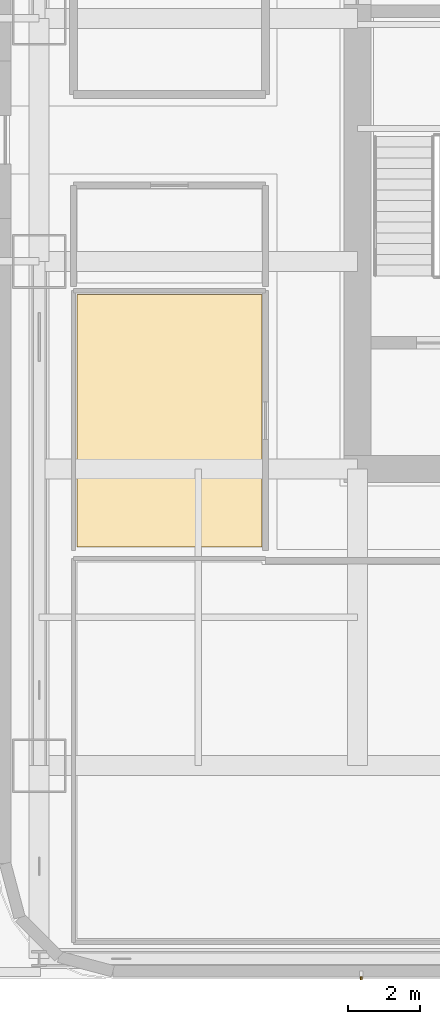
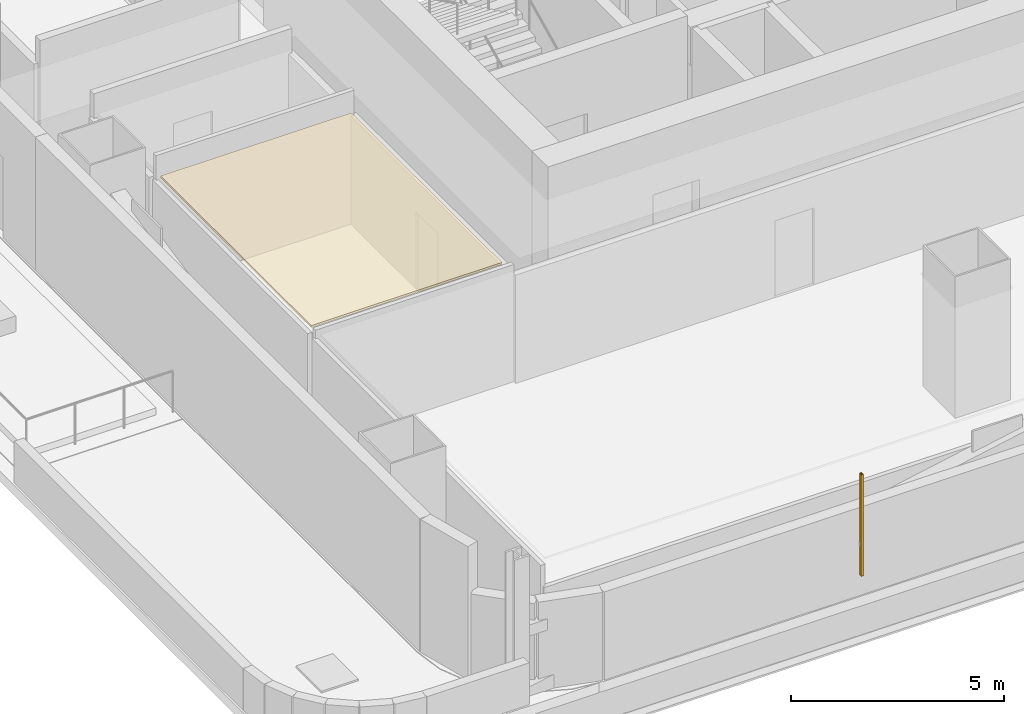
# One storey, part 16 of 27: 1 covering, 1 shading device.
"""IFC4 building model written with IfcOpenShell, lengths in metres."""

from ifc_helpers import new_model, si_unit, direction, frame, origin, origin_2d, place, context, subcontext, project, spatial, polyline, hollow_rectangle, outline, extrude, material, layer, layer_set, material_profile, profile_set, type_object, element, save


model = new_model("IFC4")

# Units and contexts
model_context = context("Model", 3, precision=1e-05, world=origin(), true_north=direction((0.0, 1.0)))
body_context = subcontext(model_context, "Body", "Model", "MODEL_VIEW")
ifc_project = project(units=[si_unit("LENGTHUNIT", "METRE"), si_unit("AREAUNIT", "SQUARE_METRE"), si_unit("VOLUMEUNIT", "CUBIC_METRE"), si_unit("PLANEANGLEUNIT", "RADIAN"), si_unit("MASSUNIT", "GRAM", prefix="KILO")], contexts=[model_context])

# Site, building, storey
site_placement = place(None, origin())
site = spatial("IfcSite", under=ifc_project, at=site_placement, CompositionType="ELEMENT")
building_placement = place(site_placement, origin())
building = spatial("IfcBuilding", under=site, at=building_placement, Name="Punatoya Terracotta Tower", CompositionType="ELEMENT")
storey_placement = place(building_placement, frame((0.0, 0.0, 60.60009765625)))
storey = spatial("IfcBuildingStorey", under=building, at=storey_placement, Name="L13", CompositionType="ELEMENT", Elevation=60.60009765625)

# Covering
ifc_material_1 = material(Name="Acoustic Mineral Fibre Ceiling")
ifc_layer = layer(ifc_material_1, 0.06005859375)
ifc_layer_set = layer_set([ifc_layer], Name="Acoustic Mineral Fibre Ceiling")
covering_type = type_object("IfcCoveringType", Name="COV-CEIL-60", PredefinedType="CEILING", material=ifc_layer_set)
covering_placement = place(storey_placement, frame((0.0, 0.0, 3.159912109375)))
element("IfcCovering", 1, at=covering_placement, inside=storey, type_object=covering_type, Name="L13 Graphic Design Workplace Acoustic Ceiling", PredefinedType="CEILING", context=body_context, shape_type="SweptSolid", body=[
    extrude(outline(polyline([(-18.0400390625, -4.318115234375), (-18.0400390625, -11.389892578125), (-12.8701171875, -11.389892578125), (-12.8701171875, -4.318115234375), (-18.0400390625, -4.318115234375)])), origin(), (0.0, 0.0, 1.0), 0.06005859375),
])

# Shading device
ifc_material_2 = material(Name="Architectural Fired Terracotta", Category="masonry")
ifc_material_profile = material_profile(ifc_material_2, hollow_rectangle(XDim=0.06005859375, YDim=0.090087890625, WallThickness=0.013916015625, at=origin_2d()))
ifc_profile_set = profile_set([ifc_material_profile], Name="Architectural Fired Terracotta")
shading_device_type = type_object("IfcShadingDeviceType", Name="SHD-JALI-90", PredefinedType="JALOUSIE", material=ifc_profile_set)
shading_device_placement = place(storey_placement, frame((-10.093505859375, -23.449951171875, 0.599853515625), z_axis=(0.0, 0.0, 1.0), x_axis=(1.0, 0.0, 0.0)))
element("IfcShadingDevice", 2, at=shading_device_placement, inside=storey, type_object=shading_device_type, Name="L13 Braced Bay Terracotta Jali Fin S1", PredefinedType="JALOUSIE", context=body_context, shape_type="SweptSolid", body=[
    extrude(hollow_rectangle(XDim=0.06005859375, YDim=0.090087890625, WallThickness=0.013916015625, at=origin_2d()), origin(), (0.0, 0.0, 1.0), 2.91015625),
])

save(model, "model.ifc")
